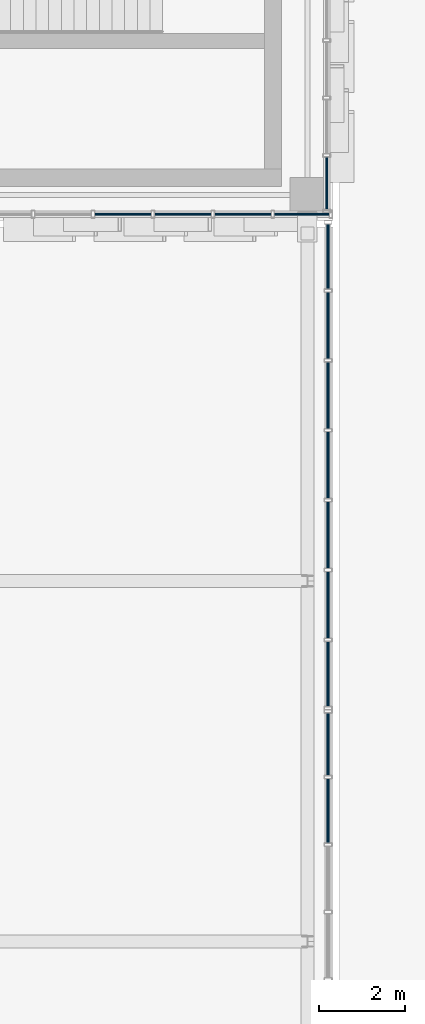
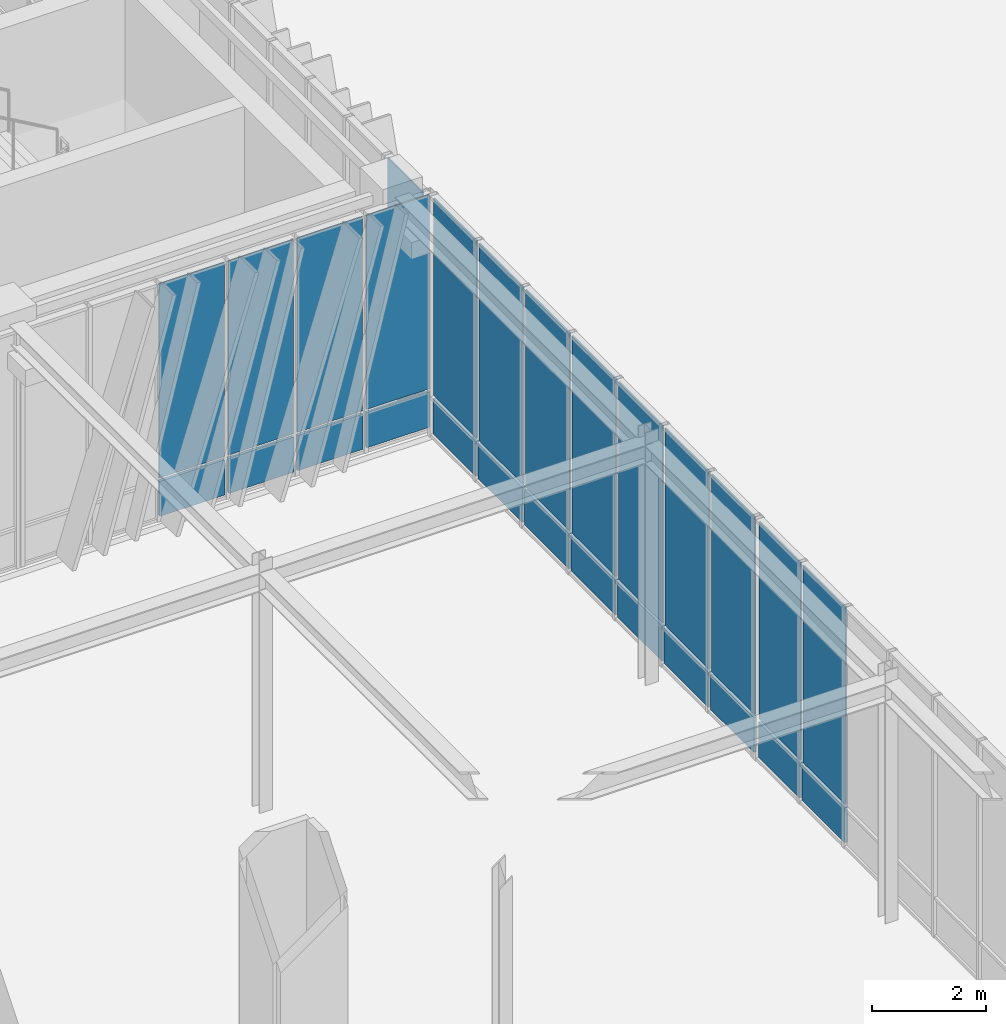
# One storey, part 80 of 122: 28 plates, 4 elements without a shape of their own.
"""IFC4 building model written with IfcOpenShell, lengths in metres."""

from ifc_helpers import new_model, si_unit, direction, frame, origin, origin_2d, place, context, subcontext, project, spatial, rectangle, extrude, material, layer, layer_set, type_object, element, aggregate, save


model = new_model("IFC4")

# Units and contexts
model_context = context("Model", 3, precision=1e-05, world=origin(), true_north=direction((0.0, 1.0)))
body_context = subcontext(model_context, "Body", "Model", "MODEL_VIEW")
ifc_project = project(units=[si_unit("LENGTHUNIT", "METRE"), si_unit("AREAUNIT", "SQUARE_METRE"), si_unit("VOLUMEUNIT", "CUBIC_METRE"), si_unit("PLANEANGLEUNIT", "RADIAN"), si_unit("MASSUNIT", "GRAM", prefix="KILO")], contexts=[model_context])

# Site, building, storey
site_placement = place(None, origin())
site = spatial("IfcSite", under=ifc_project, at=site_placement, CompositionType="ELEMENT")
building_placement = place(site_placement, origin())
building = spatial("IfcBuilding", under=site, at=building_placement, Name="Zayran Congress Hotel", CompositionType="ELEMENT")
storey_placement = place(building_placement, origin())
storey = spatial("IfcBuildingStorey", under=building, at=storey_placement, Name="L00", CompositionType="ELEMENT", Elevation=0.0)

# Curtain wall, plates
ifc_material_1 = material(Name="Anodised aluminium and low-E insulated glass", Category="aluminium")
ifc_layer_1 = layer(ifc_material_1, 0.179931640625)
ifc_layer_set_1 = layer_set([ifc_layer_1], Name="Anodised aluminium and low-E insulated glass")
curtain_wall_type_1 = type_object("IfcCurtainWallType", Name="CW-V1S-L00-CW-11-8380-5080", PredefinedType="USERDEFINED", material=ifc_layer_set_1)
curtain_wall_1_placement = place(storey_placement, origin())
curtain_wall_1 = element("IfcCurtainWall", 1, at=curtain_wall_1_placement, inside=storey, type_object=curtain_wall_type_1, Name="CW-V1S-L00-9", ObjectType="CURTAIN WALL", PredefinedType="USERDEFINED")
ifc_layer_2 = layer(ifc_material_1, 0.028076171875)
ifc_layer_set_2 = layer_set([ifc_layer_2], Name="Anodised aluminium and low-E insulated glass")
plate_type_1 = type_object("IfcPlateType", Name="CWP-GL-1277-4150", PredefinedType="CURTAIN_PANEL", material=ifc_layer_set_2)
plate_1_placement = place(storey_placement, frame((87.501708984375, 67.75, 0.8701171875), z_axis=(0.0, 0.0, 1.0), x_axis=(1.0, 0.0, 0.0)))
plate_1 = element("IfcPlate", 2, at=plate_1_placement, type_object=plate_type_1, Name="CW-11 Glazed Panel 3", PredefinedType="CURTAIN_PANEL", context=body_context, shape_type="SweptSolid", body=[
    extrude(rectangle(XDim=1.316650390625, YDim=0.028076171875, at=origin_2d()), origin(), (0.0, 0.0, 1.0), 4.14990234375),
])
plate_2_placement = place(storey_placement, frame((88.898193359375, 67.75, 0.8701171875), z_axis=(0.0, 0.0, 1.0), x_axis=(1.0, 0.0, 0.0)))
plate_2 = element("IfcPlate", 3, at=plate_2_placement, type_object=plate_type_1, Name="CW-11 Glazed Panel 4", PredefinedType="CURTAIN_PANEL", context=body_context, shape_type="SweptSolid", body=[
    extrude(rectangle(XDim=1.316650390625, YDim=0.028076171875, at=origin_2d()), origin(), (0.0, 0.0, 1.0), 4.14990234375),
])
plate_3_placement = place(storey_placement, frame((90.294921875, 67.75, 0.8701171875), z_axis=(0.0, 0.0, 1.0), x_axis=(1.0, 0.0, 0.0)))
plate_3 = element("IfcPlate", 4, at=plate_3_placement, type_object=plate_type_1, Name="CW-11 Glazed Panel 5", PredefinedType="CURTAIN_PANEL", context=body_context, shape_type="SweptSolid", body=[
    extrude(rectangle(XDim=1.316650390625, YDim=0.028076171875, at=origin_2d()), origin(), (0.0, 0.0, 1.0), 4.14990234375),
])
plate_4_placement = place(storey_placement, frame((91.671630859375, 67.75, 0.8701171875), z_axis=(0.0, 0.0, 1.0), x_axis=(1.0, 0.0, 0.0)))
plate_4 = element("IfcPlate", 5, at=plate_4_placement, type_object=plate_type_1, Name="CW-11 Glazed Panel 6", PredefinedType="CURTAIN_PANEL", context=body_context, shape_type="SweptSolid", body=[
    extrude(rectangle(XDim=1.276611328125, YDim=0.028076171875, at=origin_2d()), origin(), (0.0, 0.0, 1.0), 4.14990234375),
])
ifc_material_2 = material(Name="Insulated warm bronze aluminium spandrel panel", Category="aluminium")
ifc_layer_3 = layer(ifc_material_2, 0.06005859375)
ifc_layer_set_3 = layer_set([ifc_layer_3], Name="Insulated warm bronze aluminium spandrel panel")
plate_type_2 = type_object("IfcPlateType", Name="CWP-SP-1277-750", PredefinedType="CURTAIN_PANEL", material=ifc_layer_set_3)
plate_5_placement = place(storey_placement, frame((87.501708984375, 67.75, 0.06005859375), z_axis=(0.0, 0.0, 1.0), x_axis=(1.0, 0.0, 0.0)))
plate_5 = element("IfcPlate", 6, at=plate_5_placement, type_object=plate_type_2, Name="CW-11 Spandrel Panel 3", PredefinedType="CURTAIN_PANEL", context=body_context, shape_type="SweptSolid", body=[
    extrude(rectangle(XDim=1.316650390625, YDim=0.06005859375, at=origin_2d()), origin(), (0.0, 0.0, 1.0), 0.75),
])
plate_6_placement = place(storey_placement, frame((88.898193359375, 67.75, 0.06005859375), z_axis=(0.0, 0.0, 1.0), x_axis=(1.0, 0.0, 0.0)))
plate_6 = element("IfcPlate", 7, at=plate_6_placement, type_object=plate_type_2, Name="CW-11 Spandrel Panel 4", PredefinedType="CURTAIN_PANEL", context=body_context, shape_type="SweptSolid", body=[
    extrude(rectangle(XDim=1.316650390625, YDim=0.06005859375, at=origin_2d()), origin(), (0.0, 0.0, 1.0), 0.75),
])
plate_7_placement = place(storey_placement, frame((90.294921875, 67.75, 0.06005859375), z_axis=(0.0, 0.0, 1.0), x_axis=(1.0, 0.0, 0.0)))
plate_7 = element("IfcPlate", 8, at=plate_7_placement, type_object=plate_type_2, Name="CW-11 Spandrel Panel 5", PredefinedType="CURTAIN_PANEL", context=body_context, shape_type="SweptSolid", body=[
    extrude(rectangle(XDim=1.316650390625, YDim=0.06005859375, at=origin_2d()), origin(), (0.0, 0.0, 1.0), 0.75),
])
plate_8_placement = place(storey_placement, frame((91.671630859375, 67.75, 0.06005859375), z_axis=(0.0, 0.0, 1.0), x_axis=(1.0, 0.0, 0.0)))
plate_8 = element("IfcPlate", 9, at=plate_8_placement, type_object=plate_type_2, Name="CW-11 Spandrel Panel 6", PredefinedType="CURTAIN_PANEL", context=body_context, shape_type="SweptSolid", body=[
    extrude(rectangle(XDim=1.276611328125, YDim=0.06005859375, at=origin_2d()), origin(), (0.0, 0.0, 1.0), 0.75),
])
aggregate(curtain_wall_1, [plate_5, plate_1, plate_6, plate_2, plate_7, plate_3, plate_8, plate_4])

ifc_layer_4 = layer(ifc_material_1, 0.179931640625)
ifc_layer_set_4 = layer_set([ifc_layer_4], Name="Anodised aluminium and low-E insulated glass")
curtain_wall_type_2 = type_object("IfcCurtainWallType", Name="CW-V1E-L00-CW-41-8040-5080", PredefinedType="USERDEFINED", material=ifc_layer_set_4)
curtain_wall_2_placement = place(storey_placement, origin())
curtain_wall_2 = element("IfcCurtainWall", 10, at=curtain_wall_2_placement, inside=storey, type_object=curtain_wall_type_2, Name="CW-V1E-L00-0", ObjectType="CURTAIN WALL", PredefinedType="USERDEFINED")
ifc_layer_5 = layer(ifc_material_1, 0.028076171875)
ifc_layer_set_5 = layer_set([ifc_layer_5], Name="Anodised aluminium and low-E insulated glass")
plate_type_3 = type_object("IfcPlateType", Name="CWP-GL-1220-4150", PredefinedType="CURTAIN_PANEL", material=ifc_layer_set_5)
plate_9_placement = place(storey_placement, frame((92.25, 68.469970703125, 0.8701171875), z_axis=(0.0, 0.0, 1.0), x_axis=(0.0, 1.0, 0.0)))
plate_9 = element("IfcPlate", 11, at=plate_9_placement, type_object=plate_type_3, Name="CW-41 Glazed Panel 1", PredefinedType="CURTAIN_PANEL", context=body_context, shape_type="SweptSolid", body=[
    extrude(rectangle(XDim=1.219970703125, YDim=0.028076171875, at=origin_2d()), origin(), (0.0, 0.0, 1.0), 4.14990234375),
])
ifc_layer_6 = layer(ifc_material_2, 0.06005859375)
ifc_layer_set_6 = layer_set([ifc_layer_6], Name="Insulated warm bronze aluminium spandrel panel")
plate_type_4 = type_object("IfcPlateType", Name="CWP-SP-1220-750", PredefinedType="CURTAIN_PANEL", material=ifc_layer_set_6)
plate_10_placement = place(storey_placement, frame((92.25, 68.469970703125, 0.06005859375), z_axis=(0.0, 0.0, 1.0), x_axis=(0.0, 1.0, 0.0)))
plate_10 = element("IfcPlate", 12, at=plate_10_placement, type_object=plate_type_4, Name="CW-41 Spandrel Panel 1", PredefinedType="CURTAIN_PANEL", context=body_context, shape_type="SweptSolid", body=[
    extrude(rectangle(XDim=1.219970703125, YDim=0.06005859375, at=origin_2d()), origin(), (0.0, 0.0, 1.0), 0.75),
])
aggregate(curtain_wall_2, [plate_10, plate_9])

ifc_layer_7 = layer(ifc_material_1, 0.179931640625)
ifc_layer_set_7 = layer_set([ifc_layer_7], Name="Anodised aluminium and low-E insulated glass")
curtain_wall_type_3 = type_object("IfcCurtainWallType", Name="CW-BR2-L00-CW-BR2-11000-5150", PredefinedType="USERDEFINED", material=ifc_layer_set_7)
curtain_wall_3_placement = place(storey_placement, origin())
curtain_wall_3 = element("IfcCurtainWall", 13, at=curtain_wall_3_placement, inside=storey, type_object=curtain_wall_type_3, Name="CW-BR2E-L00-1", ObjectType="CURTAIN WALL", PredefinedType="USERDEFINED")
ifc_layer_8 = layer(ifc_material_1, 0.028076171875)
ifc_layer_set_8 = layer_set([ifc_layer_8], Name="Anodised aluminium and low-E insulated glass")
plate_type_5 = type_object("IfcPlateType", Name="CWP-GL-1451-4220", PredefinedType="CURTAIN_PANEL", material=ifc_layer_set_8)
plate_11_placement = place(storey_placement, frame((92.280029296875, 53.843017578125, 0.8701171875), z_axis=(0.0, 0.0, 1.0), x_axis=(0.0, 1.0, 0.0)))
plate_11 = element("IfcPlate", 14, at=plate_11_placement, type_object=plate_type_5, Name="CW-BR2 Glazed Panel 6", PredefinedType="CURTAIN_PANEL", context=body_context, shape_type="SweptSolid", body=[
    extrude(rectangle(XDim=1.491455078125, YDim=0.028076171875, at=origin_2d()), origin(), (0.0, 0.0, 1.0), 4.219970703125),
])
plate_12_placement = place(storey_placement, frame((92.280029296875, 55.394287109375, 0.8701171875), z_axis=(0.0, 0.0, 1.0), x_axis=(0.0, 1.0, 0.0)))
plate_12 = element("IfcPlate", 15, at=plate_12_placement, type_object=plate_type_5, Name="CW-BR2 Glazed Panel 7", PredefinedType="CURTAIN_PANEL", context=body_context, shape_type="SweptSolid", body=[
    extrude(rectangle(XDim=1.451416015625, YDim=0.028076171875, at=origin_2d()), origin(), (0.0, 0.0, 1.0), 4.219970703125),
])
ifc_layer_9 = layer(ifc_material_2, 0.06005859375)
ifc_layer_set_9 = layer_set([ifc_layer_9], Name="Insulated warm bronze aluminium spandrel panel")
plate_type_6 = type_object("IfcPlateType", Name="CWP-SP-1451-750", PredefinedType="CURTAIN_PANEL", material=ifc_layer_set_9)
plate_13_placement = place(storey_placement, frame((92.280029296875, 53.843017578125, 0.06005859375), z_axis=(0.0, 0.0, 1.0), x_axis=(0.0, 1.0, 0.0)))
plate_13 = element("IfcPlate", 16, at=plate_13_placement, type_object=plate_type_6, Name="CW-BR2 Spandrel Panel 6", PredefinedType="CURTAIN_PANEL", context=body_context, shape_type="SweptSolid", body=[
    extrude(rectangle(XDim=1.491455078125, YDim=0.06005859375, at=origin_2d()), origin(), (0.0, 0.0, 1.0), 0.75),
])
plate_14_placement = place(storey_placement, frame((92.280029296875, 55.394287109375, 0.06005859375), z_axis=(0.0, 0.0, 1.0), x_axis=(0.0, 1.0, 0.0)))
plate_14 = element("IfcPlate", 17, at=plate_14_placement, type_object=plate_type_6, Name="CW-BR2 Spandrel Panel 7", PredefinedType="CURTAIN_PANEL", context=body_context, shape_type="SweptSolid", body=[
    extrude(rectangle(XDim=1.451416015625, YDim=0.06005859375, at=origin_2d()), origin(), (0.0, 0.0, 1.0), 0.75),
])
aggregate(curtain_wall_3, [plate_13, plate_11, plate_14, plate_12])

ifc_layer_10 = layer(ifc_material_1, 0.179931640625)
ifc_layer_set_10 = layer_set([ifc_layer_10], Name="Anodised aluminium and low-E insulated glass")
curtain_wall_type_4 = type_object("IfcCurtainWallType", Name="CW-BR2-L00-CW-BR2-11400-5150", PredefinedType="USERDEFINED", material=ifc_layer_set_10)
curtain_wall_4_placement = place(storey_placement, origin())
curtain_wall_4 = element("IfcCurtainWall", 18, at=curtain_wall_4_placement, inside=storey, type_object=curtain_wall_type_4, Name="CW-BR2E-L00-2", ObjectType="CURTAIN WALL", PredefinedType="USERDEFINED")
ifc_layer_11 = layer(ifc_material_1, 0.028076171875)
ifc_layer_set_11 = layer_set([ifc_layer_11], Name="Anodised aluminium and low-E insulated glass")
plate_type_7 = type_object("IfcPlateType", Name="CWP-GL-1509-4220", PredefinedType="CURTAIN_PANEL", material=ifc_layer_set_11)
plate_15_placement = place(storey_placement, frame((92.280029296875, 57.0341796875, 0.8701171875), z_axis=(0.0, 0.0, 1.0), x_axis=(0.0, 1.0, 0.0)))
plate_15 = element("IfcPlate", 19, at=plate_15_placement, type_object=plate_type_7, Name="CW-BR2 Glazed Panel 1", PredefinedType="CURTAIN_PANEL", context=body_context, shape_type="SweptSolid", body=[
    extrude(rectangle(XDim=1.508544921875, YDim=0.028076171875, at=origin_2d()), origin(), (0.0, 0.0, 1.0), 4.219970703125),
])
plate_16_placement = place(storey_placement, frame((92.280029296875, 58.642822265625, 0.8701171875), z_axis=(0.0, 0.0, 1.0), x_axis=(0.0, 1.0, 0.0)))
plate_16 = element("IfcPlate", 20, at=plate_16_placement, type_object=plate_type_7, Name="CW-BR2 Glazed Panel 2", PredefinedType="CURTAIN_PANEL", context=body_context, shape_type="SweptSolid", body=[
    extrude(rectangle(XDim=1.548583984375, YDim=0.028076171875, at=origin_2d()), origin(), (0.0, 0.0, 1.0), 4.219970703125),
])
plate_17_placement = place(storey_placement, frame((92.280029296875, 60.271484375, 0.8701171875), z_axis=(0.0, 0.0, 1.0), x_axis=(0.0, 1.0, 0.0)))
plate_17 = element("IfcPlate", 21, at=plate_17_placement, type_object=plate_type_7, Name="CW-BR2 Glazed Panel 3", PredefinedType="CURTAIN_PANEL", context=body_context, shape_type="SweptSolid", body=[
    extrude(rectangle(XDim=1.548583984375, YDim=0.028076171875, at=origin_2d()), origin(), (0.0, 0.0, 1.0), 4.219970703125),
])
plate_18_placement = place(storey_placement, frame((92.280029296875, 61.89990234375, 0.8701171875), z_axis=(0.0, 0.0, 1.0), x_axis=(0.0, 1.0, 0.0)))
plate_18 = element("IfcPlate", 22, at=plate_18_placement, type_object=plate_type_7, Name="CW-BR2 Glazed Panel 4", PredefinedType="CURTAIN_PANEL", context=body_context, shape_type="SweptSolid", body=[
    extrude(rectangle(XDim=1.548583984375, YDim=0.028076171875, at=origin_2d()), origin(), (0.0, 0.0, 1.0), 4.219970703125),
])
plate_19_placement = place(storey_placement, frame((92.280029296875, 63.528564453125, 0.8701171875), z_axis=(0.0, 0.0, 1.0), x_axis=(0.0, 1.0, 0.0)))
plate_19 = element("IfcPlate", 23, at=plate_19_placement, type_object=plate_type_7, Name="CW-BR2 Glazed Panel 5", PredefinedType="CURTAIN_PANEL", context=body_context, shape_type="SweptSolid", body=[
    extrude(rectangle(XDim=1.548583984375, YDim=0.028076171875, at=origin_2d()), origin(), (0.0, 0.0, 1.0), 4.219970703125),
])
plate_20_placement = place(storey_placement, frame((92.280029296875, 65.156982421875, 0.8701171875), z_axis=(0.0, 0.0, 1.0), x_axis=(0.0, 1.0, 0.0)))
plate_20 = element("IfcPlate", 24, at=plate_20_placement, type_object=plate_type_7, Name="CW-BR2 Glazed Panel 6", PredefinedType="CURTAIN_PANEL", context=body_context, shape_type="SweptSolid", body=[
    extrude(rectangle(XDim=1.548583984375, YDim=0.028076171875, at=origin_2d()), origin(), (0.0, 0.0, 1.0), 4.219970703125),
])
plate_21_placement = place(storey_placement, frame((92.280029296875, 66.765625, 0.8701171875), z_axis=(0.0, 0.0, 1.0), x_axis=(0.0, 1.0, 0.0)))
plate_21 = element("IfcPlate", 25, at=plate_21_placement, type_object=plate_type_7, Name="CW-BR2 Glazed Panel 7", PredefinedType="CURTAIN_PANEL", context=body_context, shape_type="SweptSolid", body=[
    extrude(rectangle(XDim=1.508544921875, YDim=0.028076171875, at=origin_2d()), origin(), (0.0, 0.0, 1.0), 4.219970703125),
])
ifc_layer_12 = layer(ifc_material_2, 0.06005859375)
ifc_layer_set_12 = layer_set([ifc_layer_12], Name="Insulated warm bronze aluminium spandrel panel")
plate_type_8 = type_object("IfcPlateType", Name="CWP-SP-1509-750", PredefinedType="CURTAIN_PANEL", material=ifc_layer_set_12)
plate_22_placement = place(storey_placement, frame((92.280029296875, 57.0341796875, 0.06005859375), z_axis=(0.0, 0.0, 1.0), x_axis=(0.0, 1.0, 0.0)))
plate_22 = element("IfcPlate", 26, at=plate_22_placement, type_object=plate_type_8, Name="CW-BR2 Spandrel Panel 1", PredefinedType="CURTAIN_PANEL", context=body_context, shape_type="SweptSolid", body=[
    extrude(rectangle(XDim=1.508544921875, YDim=0.06005859375, at=origin_2d()), origin(), (0.0, 0.0, 1.0), 0.75),
])
plate_23_placement = place(storey_placement, frame((92.280029296875, 58.642822265625, 0.06005859375), z_axis=(0.0, 0.0, 1.0), x_axis=(0.0, 1.0, 0.0)))
plate_23 = element("IfcPlate", 27, at=plate_23_placement, type_object=plate_type_8, Name="CW-BR2 Spandrel Panel 2", PredefinedType="CURTAIN_PANEL", context=body_context, shape_type="SweptSolid", body=[
    extrude(rectangle(XDim=1.548583984375, YDim=0.06005859375, at=origin_2d()), origin(), (0.0, 0.0, 1.0), 0.75),
])
plate_24_placement = place(storey_placement, frame((92.280029296875, 60.271484375, 0.06005859375), z_axis=(0.0, 0.0, 1.0), x_axis=(0.0, 1.0, 0.0)))
plate_24 = element("IfcPlate", 28, at=plate_24_placement, type_object=plate_type_8, Name="CW-BR2 Spandrel Panel 3", PredefinedType="CURTAIN_PANEL", context=body_context, shape_type="SweptSolid", body=[
    extrude(rectangle(XDim=1.548583984375, YDim=0.06005859375, at=origin_2d()), origin(), (0.0, 0.0, 1.0), 0.75),
])
plate_25_placement = place(storey_placement, frame((92.280029296875, 61.89990234375, 0.06005859375), z_axis=(0.0, 0.0, 1.0), x_axis=(0.0, 1.0, 0.0)))
plate_25 = element("IfcPlate", 29, at=plate_25_placement, type_object=plate_type_8, Name="CW-BR2 Spandrel Panel 4", PredefinedType="CURTAIN_PANEL", context=body_context, shape_type="SweptSolid", body=[
    extrude(rectangle(XDim=1.548583984375, YDim=0.06005859375, at=origin_2d()), origin(), (0.0, 0.0, 1.0), 0.75),
])
plate_26_placement = place(storey_placement, frame((92.280029296875, 63.528564453125, 0.06005859375), z_axis=(0.0, 0.0, 1.0), x_axis=(0.0, 1.0, 0.0)))
plate_26 = element("IfcPlate", 30, at=plate_26_placement, type_object=plate_type_8, Name="CW-BR2 Spandrel Panel 5", PredefinedType="CURTAIN_PANEL", context=body_context, shape_type="SweptSolid", body=[
    extrude(rectangle(XDim=1.548583984375, YDim=0.06005859375, at=origin_2d()), origin(), (0.0, 0.0, 1.0), 0.75),
])
plate_27_placement = place(storey_placement, frame((92.280029296875, 65.156982421875, 0.06005859375), z_axis=(0.0, 0.0, 1.0), x_axis=(0.0, 1.0, 0.0)))
plate_27 = element("IfcPlate", 31, at=plate_27_placement, type_object=plate_type_8, Name="CW-BR2 Spandrel Panel 6", PredefinedType="CURTAIN_PANEL", context=body_context, shape_type="SweptSolid", body=[
    extrude(rectangle(XDim=1.548583984375, YDim=0.06005859375, at=origin_2d()), origin(), (0.0, 0.0, 1.0), 0.75),
])
plate_28_placement = place(storey_placement, frame((92.280029296875, 66.765625, 0.06005859375), z_axis=(0.0, 0.0, 1.0), x_axis=(0.0, 1.0, 0.0)))
plate_28 = element("IfcPlate", 32, at=plate_28_placement, type_object=plate_type_8, Name="CW-BR2 Spandrel Panel 7", PredefinedType="CURTAIN_PANEL", context=body_context, shape_type="SweptSolid", body=[
    extrude(rectangle(XDim=1.508544921875, YDim=0.06005859375, at=origin_2d()), origin(), (0.0, 0.0, 1.0), 0.75),
])
aggregate(curtain_wall_4, [plate_22, plate_15, plate_23, plate_16, plate_24, plate_17, plate_25, plate_18, plate_26, plate_19, plate_27, plate_20, plate_28, plate_21])

save(model, "model.ifc")
